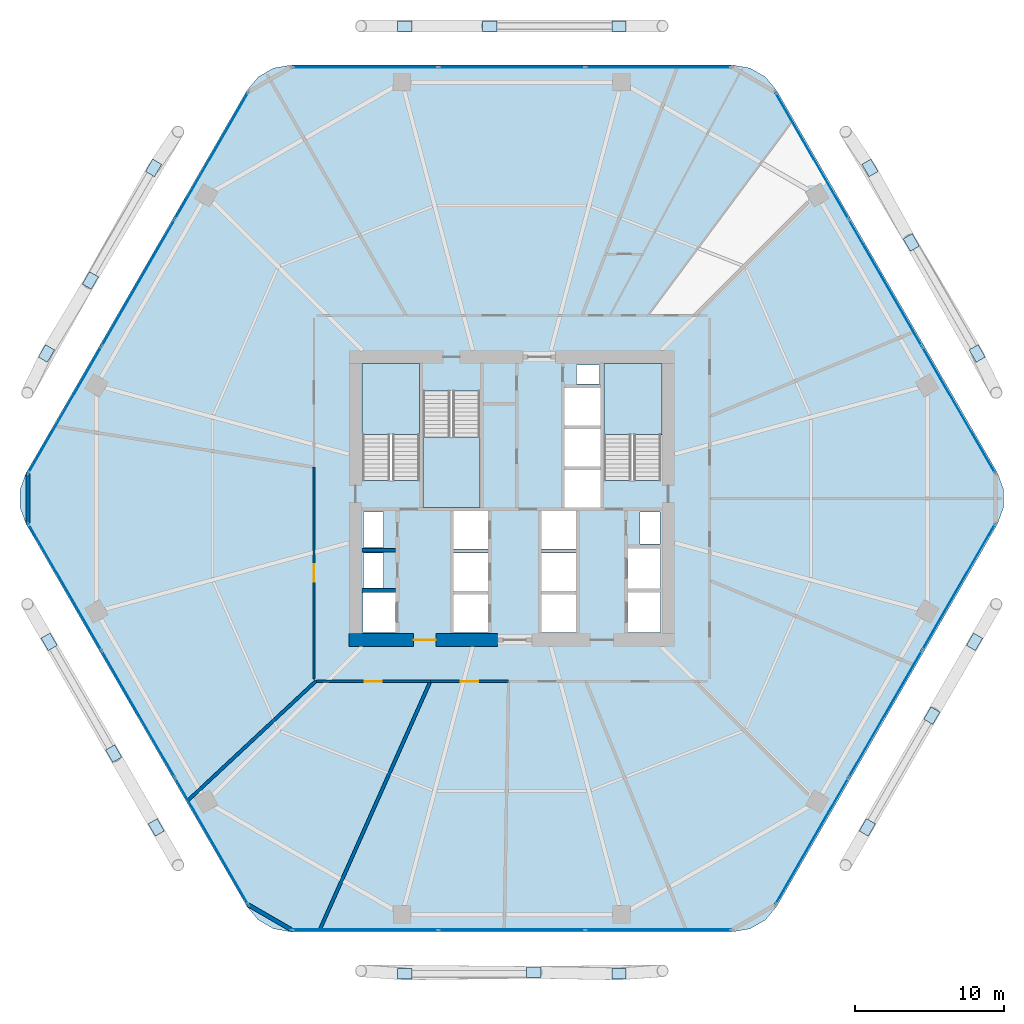
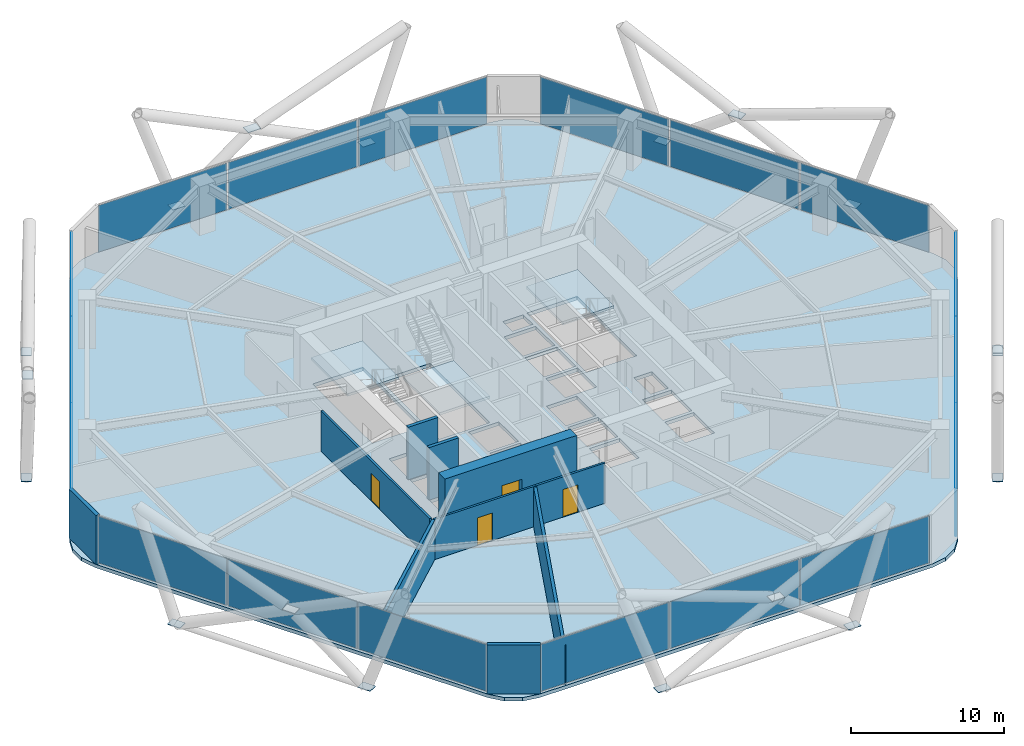
# One storey, part 24 of 28: 36 plates, 10 walls, 4 doors, 4 slabs, 4 openings, 9 elements without a shape of their own.
"""IFC4 building model written with IfcOpenShell, lengths in metres."""

from ifc_helpers import new_model, si_unit, direction, frame, frame_2d, origin, origin_2d, place, context, subcontext, project, spatial, polyline, rectangle, outline, extrude, material, layer, layer_set, type_object, element, fill, aggregate, save


model = new_model("IFC4")

# Units and contexts
model_context = context("Model", 3, precision=1e-05, world=origin(), true_north=direction((0.0, 1.0)))
body_context = subcontext(model_context, "Body", "Model", "MODEL_VIEW")
ifc_project = project(units=[si_unit("LENGTHUNIT", "METRE"), si_unit("AREAUNIT", "SQUARE_METRE"), si_unit("VOLUMEUNIT", "CUBIC_METRE"), si_unit("PLANEANGLEUNIT", "RADIAN"), si_unit("MASSUNIT", "GRAM", prefix="KILO")], contexts=[model_context])

# Site, building, storey
site_placement = place(None, origin())
site = spatial("IfcSite", under=ifc_project, at=site_placement, CompositionType="ELEMENT")
building_placement = place(site_placement, origin())
building = spatial("IfcBuilding", under=site, at=building_placement, Name="Zuhravey Tower", CompositionType="ELEMENT")
storey_placement = place(building_placement, frame((0.0, 0.0, 66.60009765625)))
storey = spatial("IfcBuildingStorey", under=building, at=storey_placement, Name="L16", CompositionType="ELEMENT", Elevation=66.60009765625)

# Curtain wall, plates
ifc_material_1 = material(Name="Thermally broken anodised aluminium", Category="aluminium")
curtain_wall_type = type_object("IfcCurtainWallType", Name="School Low-E Unitised Curtain Wall CW1", PredefinedType="NOTDEFINED", material=ifc_material_1)
curtain_wall_1_placement = place(storey_placement, origin())
curtain_wall_1 = element("IfcCurtainWall", 1, at=curtain_wall_1_placement, inside=storey, type_object=curtain_wall_type, Name="L16 CW1 CW-L16-F6-1", PredefinedType="NOTDEFINED")
ifc_material_2 = material(Name="Laminated acoustic low-E vision glass", Category="glass")
ifc_layer_1 = layer(ifc_material_2, 0.048095703125)
ifc_layer_set_1 = layer_set([ifc_layer_1], Name="Laminated acoustic low-E vision glass")
plate_type_1 = type_object("IfcPlateType", Name="Acoustic School Vision Panel", PredefinedType="CURTAIN_PANEL", material=ifc_layer_set_1)
plate_1_placement = place(storey_placement, frame((66.000732421875, 26.045654296875, 0.08984375), z_axis=(0.0, 0.0, 1.0), x_axis=(-0.499999794119, -0.86602552265, 0.0)))
plate_1 = element("IfcPlate", 2, at=plate_1_placement, type_object=plate_type_1, Name="CW1 panel 1.1", PredefinedType="CURTAIN_PANEL", context=body_context, shape_type="SweptSolid", body=[
    extrude(rectangle(XDim=9.7314453125, YDim=0.048095703125, at=origin_2d()), origin(), (0.0, 0.0, 1.0), 3.739990234375),
])
plate_2_placement = place(storey_placement, frame((61.078857421875, 17.520751953125, 0.08984375), z_axis=(0.0, 0.0, 1.0), x_axis=(-0.499999794119, -0.86602552265, 0.0)))
plate_2 = element("IfcPlate", 3, at=plate_2_placement, type_object=plate_type_1, Name="CW1 panel 2.1", PredefinedType="CURTAIN_PANEL", context=body_context, shape_type="SweptSolid", body=[
    extrude(rectangle(XDim=9.7763671875, YDim=0.048095703125, at=origin_2d()), origin(), (0.0, 0.0, 1.0), 3.739990234375),
])
plate_3_placement = place(storey_placement, frame((56.15673828125, 8.995849609375, 0.08984375), z_axis=(0.0, 0.0, 1.0), x_axis=(-0.499999794119, -0.86602552265, 0.0)))
plate_3 = element("IfcPlate", 4, at=plate_3_placement, type_object=plate_type_1, Name="CW1 panel 3.1", PredefinedType="CURTAIN_PANEL", context=body_context, shape_type="SweptSolid", body=[
    extrude(rectangle(XDim=9.7314453125, YDim=0.048095703125, at=origin_2d()), origin(), (0.0, 0.0, 1.0), 3.739990234375),
])
aggregate(curtain_wall_1, [plate_1, plate_2, plate_3])

curtain_wall_2_placement = place(storey_placement, origin())
curtain_wall_2 = element("IfcCurtainWall", 5, at=curtain_wall_2_placement, inside=storey, type_object=curtain_wall_type, Name="L16 CW1 CW-L16-F5-1", PredefinedType="NOTDEFINED")
plate_4_placement = place(storey_placement, frame((45.84375, 3.04150390625, 0.08984375), z_axis=(0.0, 0.0, 1.0), x_axis=(-1.0, 0.0, 0.0)))
plate_4 = element("IfcPlate", 6, at=plate_4_placement, type_object=plate_type_1, Name="CW1 panel 1.1", PredefinedType="CURTAIN_PANEL", context=body_context, shape_type="SweptSolid", body=[
    extrude(rectangle(XDim=9.7314453125, YDim=0.048095703125, at=origin_2d()), origin(), (0.0, 0.0, 1.0), 3.739990234375),
])
plate_5_placement = place(storey_placement, frame((36.0, 3.04150390625, 0.08984375), z_axis=(0.0, 0.0, 1.0), x_axis=(-1.0, 0.0, 0.0)))
plate_5 = element("IfcPlate", 7, at=plate_5_placement, type_object=plate_type_1, Name="CW1 panel 2.1", PredefinedType="CURTAIN_PANEL", context=body_context, shape_type="SweptSolid", body=[
    extrude(rectangle(XDim=9.7763671875, YDim=0.048095703125, at=origin_2d()), origin(), (0.0, 0.0, 1.0), 3.739990234375),
])
plate_6_placement = place(storey_placement, frame((26.15625, 3.04150390625, 0.08984375), z_axis=(0.0, 0.0, 1.0), x_axis=(-1.0, 0.0, 0.0)))
plate_6 = element("IfcPlate", 8, at=plate_6_placement, type_object=plate_type_1, Name="CW1 panel 3.1", PredefinedType="CURTAIN_PANEL", context=body_context, shape_type="SweptSolid", body=[
    extrude(rectangle(XDim=9.7314453125, YDim=0.048095703125, at=origin_2d()), origin(), (0.0, 0.0, 1.0), 3.739990234375),
])
aggregate(curtain_wall_2, [plate_4, plate_5, plate_6])

curtain_wall_3_placement = place(storey_placement, origin())
curtain_wall_3 = element("IfcCurtainWall", 9, at=curtain_wall_3_placement, inside=storey, type_object=curtain_wall_type, Name="L16 CW1 CW-L16-F4-1", PredefinedType="NOTDEFINED")
plate_7_placement = place(storey_placement, frame((15.84326171875, 8.995849609375, 0.08984375), z_axis=(0.0, 0.0, 1.0), x_axis=(-0.499999794119, 0.86602552265, 0.0)))
plate_7 = element("IfcPlate", 10, at=plate_7_placement, type_object=plate_type_1, Name="CW1 panel 1.1", PredefinedType="CURTAIN_PANEL", context=body_context, shape_type="SweptSolid", body=[
    extrude(rectangle(XDim=9.7314453125, YDim=0.048095703125, at=origin_2d()), origin(), (0.0, 0.0, 1.0), 3.739990234375),
])
plate_8_placement = place(storey_placement, frame((10.921142578125, 17.520751953125, 0.08984375), z_axis=(0.0, 0.0, 1.0), x_axis=(-0.499999794119, 0.86602552265, 0.0)))
plate_8 = element("IfcPlate", 11, at=plate_8_placement, type_object=plate_type_1, Name="CW1 panel 2.1", PredefinedType="CURTAIN_PANEL", context=body_context, shape_type="SweptSolid", body=[
    extrude(rectangle(XDim=9.7763671875, YDim=0.048095703125, at=origin_2d()), origin(), (0.0, 0.0, 1.0), 3.739990234375),
])
plate_9_placement = place(storey_placement, frame((5.999267578125, 26.045654296875, 0.08984375), z_axis=(0.0, 0.0, 1.0), x_axis=(-0.499999794119, 0.86602552265, 0.0)))
plate_9 = element("IfcPlate", 12, at=plate_9_placement, type_object=plate_type_1, Name="CW1 panel 3.1", PredefinedType="CURTAIN_PANEL", context=body_context, shape_type="SweptSolid", body=[
    extrude(rectangle(XDim=9.7314453125, YDim=0.048095703125, at=origin_2d()), origin(), (0.0, 0.0, 1.0), 3.739990234375),
])
aggregate(curtain_wall_3, [plate_7, plate_8, plate_9])

curtain_wall_4_placement = place(storey_placement, origin())
curtain_wall_4 = element("IfcCurtainWall", 13, at=curtain_wall_4_placement, inside=storey, type_object=curtain_wall_type, Name="L16 CW1 CW-L16-F3-1", PredefinedType="NOTDEFINED")
plate_10_placement = place(storey_placement, frame((5.999267578125, 37.954345703125, 0.08984375), z_axis=(0.0, 0.0, 1.0), x_axis=(0.499999794119, 0.86602552265, 0.0)))
plate_10 = element("IfcPlate", 14, at=plate_10_placement, type_object=plate_type_1, Name="CW1 panel 1.1", PredefinedType="CURTAIN_PANEL", context=body_context, shape_type="SweptSolid", body=[
    extrude(rectangle(XDim=9.7314453125, YDim=0.048095703125, at=origin_2d()), origin(), (0.0, 0.0, 1.0), 3.739990234375),
])
plate_11_placement = place(storey_placement, frame((10.921142578125, 46.479248046875, 0.08984375), z_axis=(0.0, 0.0, 1.0), x_axis=(0.499999794119, 0.86602552265, 0.0)))
plate_11 = element("IfcPlate", 15, at=plate_11_placement, type_object=plate_type_1, Name="CW1 panel 2.1", PredefinedType="CURTAIN_PANEL", context=body_context, shape_type="SweptSolid", body=[
    extrude(rectangle(XDim=9.7763671875, YDim=0.048095703125, at=origin_2d()), origin(), (0.0, 0.0, 1.0), 3.739990234375),
])
plate_12_placement = place(storey_placement, frame((15.84326171875, 55.004150390625, 0.08984375), z_axis=(0.0, 0.0, 1.0), x_axis=(0.499999794119, 0.86602552265, 0.0)))
plate_12 = element("IfcPlate", 16, at=plate_12_placement, type_object=plate_type_1, Name="CW1 panel 3.1", PredefinedType="CURTAIN_PANEL", context=body_context, shape_type="SweptSolid", body=[
    extrude(rectangle(XDim=9.7314453125, YDim=0.048095703125, at=origin_2d()), origin(), (0.0, 0.0, 1.0), 3.739990234375),
])
aggregate(curtain_wall_4, [plate_10, plate_11, plate_12])

curtain_wall_5_placement = place(storey_placement, origin())
curtain_wall_5 = element("IfcCurtainWall", 17, at=curtain_wall_5_placement, inside=storey, type_object=curtain_wall_type, Name="L16 CW1 CW-L16-F2-1", PredefinedType="NOTDEFINED")
plate_13_placement = place(storey_placement, frame((26.15625, 60.95849609375, 0.08984375), z_axis=(0.0, 0.0, 1.0), x_axis=(1.0, 0.0, 0.0)))
plate_13 = element("IfcPlate", 18, at=plate_13_placement, type_object=plate_type_1, Name="CW1 panel 1.1", PredefinedType="CURTAIN_PANEL", context=body_context, shape_type="SweptSolid", body=[
    extrude(rectangle(XDim=9.7314453125, YDim=0.048095703125, at=origin_2d()), origin(), (0.0, 0.0, 1.0), 3.739990234375),
])
plate_14_placement = place(storey_placement, frame((36.0, 60.95849609375, 0.08984375), z_axis=(0.0, 0.0, 1.0), x_axis=(1.0, 0.0, 0.0)))
plate_14 = element("IfcPlate", 19, at=plate_14_placement, type_object=plate_type_1, Name="CW1 panel 2.1", PredefinedType="CURTAIN_PANEL", context=body_context, shape_type="SweptSolid", body=[
    extrude(rectangle(XDim=9.7763671875, YDim=0.048095703125, at=origin_2d()), origin(), (0.0, 0.0, 1.0), 3.739990234375),
])
plate_15_placement = place(storey_placement, frame((45.84375, 60.95849609375, 0.08984375), z_axis=(0.0, 0.0, 1.0), x_axis=(1.0, 0.0, 0.0)))
plate_15 = element("IfcPlate", 20, at=plate_15_placement, type_object=plate_type_1, Name="CW1 panel 3.1", PredefinedType="CURTAIN_PANEL", context=body_context, shape_type="SweptSolid", body=[
    extrude(rectangle(XDim=9.7314453125, YDim=0.048095703125, at=origin_2d()), origin(), (0.0, 0.0, 1.0), 3.739990234375),
])
aggregate(curtain_wall_5, [plate_13, plate_14, plate_15])

curtain_wall_6_placement = place(storey_placement, origin())
curtain_wall_6 = element("IfcCurtainWall", 21, at=curtain_wall_6_placement, inside=storey, type_object=curtain_wall_type, Name="L16 CW1 CW-L16-F1-1", PredefinedType="NOTDEFINED")
plate_16_placement = place(storey_placement, frame((56.15673828125, 55.004150390625, 0.08984375), z_axis=(0.0, 0.0, 1.0), x_axis=(0.499999794119, -0.86602552265, 0.0)))
plate_16 = element("IfcPlate", 22, at=plate_16_placement, type_object=plate_type_1, Name="CW1 panel 1.1", PredefinedType="CURTAIN_PANEL", context=body_context, shape_type="SweptSolid", body=[
    extrude(rectangle(XDim=9.7314453125, YDim=0.048095703125, at=origin_2d()), origin(), (0.0, 0.0, 1.0), 3.739990234375),
])
plate_17_placement = place(storey_placement, frame((61.078857421875, 46.479248046875, 0.08984375), z_axis=(0.0, 0.0, 1.0), x_axis=(0.499999794119, -0.86602552265, 0.0)))
plate_17 = element("IfcPlate", 23, at=plate_17_placement, type_object=plate_type_1, Name="CW1 panel 2.1", PredefinedType="CURTAIN_PANEL", context=body_context, shape_type="SweptSolid", body=[
    extrude(rectangle(XDim=9.7763671875, YDim=0.048095703125, at=origin_2d()), origin(), (0.0, 0.0, 1.0), 3.739990234375),
])
plate_18_placement = place(storey_placement, frame((66.000732421875, 37.954345703125, 0.08984375), z_axis=(0.0, 0.0, 1.0), x_axis=(0.499999794119, -0.86602552265, 0.0)))
plate_18 = element("IfcPlate", 24, at=plate_18_placement, type_object=plate_type_1, Name="CW1 panel 3.1", PredefinedType="CURTAIN_PANEL", context=body_context, shape_type="SweptSolid", body=[
    extrude(rectangle(XDim=9.7314453125, YDim=0.048095703125, at=origin_2d()), origin(), (0.0, 0.0, 1.0), 3.739990234375),
])
aggregate(curtain_wall_6, [plate_16, plate_17, plate_18])

# Plates
ifc_material_3 = material(Name="Steel SM460", Category="steel")
ifc_layer_2 = layer(ifc_material_3, 0.0400390625)
ifc_layer_set_2 = layer_set([ifc_layer_2], Name="Steel SM460")
plate_type_2 = type_object("IfcPlateType", Name="Exoskeleton Zone 1 Node Plate ND1", PredefinedType="SHEET", material=ifc_layer_set_2)
for number, where, z_axis, x_axis, name in (
    (25, (67.247802734375, 41.734130859375, -0.51416015625), (0.0, 0.0, 1.0), (-0.5, 0.866025403784, 0.0), "L16 Exoskeleton Node Gusset L16-01"),
    (26, (60.053955078125, 54.1943359375, -0.51416015625), (0.0, 0.0, 1.0), (-0.5, 0.866025403784, 0.0), "L16 Exoskeleton Node Gusset L16-02"),
    (27, (43.19384765625, 63.718505859375, -0.51416015625), (0.0, 0.0, 1.0), (-1.0, 0.0, 0.0), "L16 Exoskeleton Node Gusset L16-03"),
    (28, (28.80615234375, 63.718505859375, -0.51416015625), (0.0, 0.0, 1.0), (-1.0, 0.0, 0.0), "L16 Exoskeleton Node Gusset L16-04"),
    (29, (11.946044921875, 54.1943359375, -0.51416015625), (0.0, 0.0, 1.0), (-0.5, -0.866025403784, 0.0), "L16 Exoskeleton Node Gusset L16-05"),
    (30, (4.752197265625, 41.734130859375, -0.51416015625), (0.0, 0.0, 1.0), (-0.5, -0.866025403784, 0.0), "L16 Exoskeleton Node Gusset L16-06"),
    (31, (4.93408203125, 22.370849609375, -0.51416015625), (0.0, 0.0, 1.0), (0.5, -0.866025403784, 0.0), "L16 Exoskeleton Node Gusset L16-07"),
    (32, (12.1279296875, 9.91064453125, -0.51416015625), (0.0, 0.0, 1.0), (0.5, -0.866025403784, 0.0), "L16 Exoskeleton Node Gusset L16-08"),
    (33, (28.80615234375, 0.071533203125, -0.51416015625), (0.0, 0.0, 1.0), (1.0, 0.0, 0.0), "L16 Exoskeleton Node Gusset L16-09"),
    (34, (43.19384765625, 0.071533203125, -0.51416015625), (0.0, 0.0, 1.0), (1.0, 0.0, 0.0), "L16 Exoskeleton Node Gusset L16-10"),
    (35, (59.8720703125, 9.91064453125, -0.51416015625), (0.0, 0.0, 1.0), (0.5, 0.866025403784, 0.0), "L16 Exoskeleton Node Gusset L16-11"),
    (36, (67.06591796875, 22.370849609375, -0.51416015625), (0.0, 0.0, 1.0), (0.5, 0.866025403784, 0.0), "L16 Exoskeleton Node Gusset L16-12"),
    (37, (62.82421875, 49.18603515625, 3.685791015625), (0.0, 0.0, 1.0), (-0.5, 0.866025403784, 0.0), "L16 Face 1 Diagrid X-Crossing Plate"),
    (38, (34.528564453125, 63.718505859375, 3.685791015625), (0.0, 0.0, 1.0), (-1.0, 0.0, 0.0), "L16 Face 2 Diagrid X-Crossing Plate"),
    (39, (7.704345703125, 46.637451171875, 3.685791015625), (0.0, 0.0, 1.0), (-0.5, -0.866025403784, 0.0), "L16 Face 3 Diagrid X-Crossing Plate"),
    (40, (9.266845703125, 14.866455078125, 3.685791015625), (0.0, 0.0, 1.0), (0.5, -0.866025403784, 0.0), "L16 Face 4 Diagrid X-Crossing Plate"),
    (41, (37.471435546875, 0.176513671875, 3.685791015625), (0.0, 0.0, 1.0), (1.0, 0.0, 0.0), "L16 Face 5 Diagrid X-Crossing Plate"),
    (42, (64.204833984375, 17.4150390625, 3.685791015625), (0.0, 0.0, 1.0), (0.5, 0.866025403784, 0.0), "L16 Face 6 Diagrid X-Crossing Plate"),
):
    element("IfcPlate", number, at=place(storey_placement, frame(where, z_axis=z_axis, x_axis=x_axis)), inside=storey, type_object=plate_type_2, Name=name, PredefinedType="SHEET", context=body_context, shape_type="SweptSolid", body=[
        extrude(rectangle(XDim=0.9599609375, YDim=0.699951171875, at=origin_2d()), origin(), (0.0, 0.0, 1.0), 0.0400390625),
    ])

# Slab
ifc_material_4 = material(Name="Concrete C50/60", Category="concrete")
ifc_layer_3 = layer(ifc_material_4, 0.280029296875)
ifc_layer_set_3 = layer_set([ifc_layer_3], Name="Concrete C50/60")
slab_type_1 = type_object("IfcSlabType", Name="School Composite Floor Slab 280", PredefinedType="FLOOR", material=ifc_layer_set_3)
slab_1_placement = place(storey_placement, frame((0.0, 0.0, -0.280029296875)))
element("IfcSlab", 43, at=slab_1_placement, inside=storey, type_object=slab_type_1, Name="L16 Floor Slab FS28", PredefinedType="FLOOR", context=body_context, shape_type="SweptSolid", body=[
    extrude(outline(polyline([(68.618408203125, 30.300048828125), (69.0224609375, 31.40966796875), (69.0224609375, 32.59033203125), (68.618408203125, 33.699951171875), (53.781494140625, 59.3984375), (53.0224609375, 60.302978515625), (52.0, 60.893310546875), (50.8369140625, 61.098388671875), (21.1630859375, 61.098388671875), (20.0, 60.893310546875), (18.9775390625, 60.302978515625), (18.218505859375, 59.3984375), (3.381591796875, 33.699951171875), (2.9775390625, 32.59033203125), (2.9775390625, 31.40966796875), (3.381591796875, 30.300048828125), (18.218505859375, 4.6015625), (18.9775390625, 3.697021484375), (20.0, 3.106689453125), (21.1630859375, 2.901611328125), (50.8369140625, 2.901611328125), (52.0, 3.106689453125), (53.0224609375, 3.697021484375), (53.781494140625, 4.6015625), (68.618408203125, 30.300048828125)]), holes=[polyline([(29.800048828125, 33.20068359375), (29.800048828125, 41.0), (26.0, 41.0), (26.0, 33.20068359375), (29.800048828125, 33.20068359375)]), polyline([(46.0, 33.20068359375), (46.0, 41.0), (42.199951171875, 41.0), (42.199951171875, 33.20068359375), (46.0, 33.20068359375)]), polyline([(30.050048828125, 39.199462890625), (30.050048828125, 31.39990234375), (33.85009765625, 31.39990234375), (33.85009765625, 39.199462890625), (30.050048828125, 39.199462890625)]), polyline([(32.10009765625, 23.0), (34.39990234375, 23.0), (34.39990234375, 25.550048828125), (32.10009765625, 25.550048828125), (32.10009765625, 23.0)]), polyline([(32.10009765625, 25.800048828125), (34.39990234375, 25.800048828125), (34.39990234375, 28.35009765625), (32.10009765625, 28.35009765625), (32.10009765625, 25.800048828125)]), polyline([(32.10009765625, 28.60009765625), (34.39990234375, 28.60009765625), (34.39990234375, 31.14990234375), (32.10009765625, 31.14990234375), (32.10009765625, 28.60009765625)]), polyline([(38.0, 23.0), (40.300048828125, 23.0), (40.300048828125, 25.550048828125), (38.0, 25.550048828125), (38.0, 23.0)]), polyline([(38.0, 25.800048828125), (40.300048828125, 25.800048828125), (40.300048828125, 28.35009765625), (38.0, 28.35009765625), (38.0, 25.800048828125)]), polyline([(38.0, 28.60009765625), (40.300048828125, 28.60009765625), (40.300048828125, 31.14990234375), (38.0, 31.14990234375), (38.0, 28.60009765625)]), polyline([(39.550048828125, 31.39990234375), (41.949951171875, 31.39990234375), (41.949951171875, 33.89990234375), (39.550048828125, 33.89990234375), (39.550048828125, 31.39990234375)]), polyline([(39.550048828125, 34.14990234375), (41.949951171875, 34.14990234375), (41.949951171875, 36.64990234375), (39.550048828125, 36.64990234375), (39.550048828125, 34.14990234375)]), polyline([(39.550048828125, 36.89990234375), (41.949951171875, 36.89990234375), (41.949951171875, 39.39990234375), (39.550048828125, 39.39990234375), (39.550048828125, 36.89990234375)]), polyline([(26.0, 23.0), (28.199951171875, 23.0), (28.199951171875, 25.699951171875), (26.0, 25.699951171875), (26.0, 23.0)]), polyline([(43.800048828125, 23.0), (46.0, 23.0), (46.0, 25.699951171875), (43.800048828125, 25.699951171875), (43.800048828125, 23.0)]), polyline([(43.800048828125, 25.949951171875), (46.0, 25.949951171875), (46.0, 28.64990234375), (43.800048828125, 28.64990234375), (43.800048828125, 25.949951171875)]), polyline([(26.050048828125, 26.0), (27.39990234375, 26.0), (27.39990234375, 28.35009765625), (26.050048828125, 28.35009765625), (26.050048828125, 26.0)]), polyline([(26.050048828125, 28.699951171875), (27.39990234375, 28.699951171875), (27.39990234375, 31.10009765625), (26.050048828125, 31.10009765625), (26.050048828125, 28.699951171875)]), polyline([(44.60009765625, 28.949951171875), (45.949951171875, 28.949951171875), (45.949951171875, 31.10009765625), (44.60009765625, 31.10009765625), (44.60009765625, 28.949951171875)]), polyline([(40.35009765625, 39.699951171875), (41.89990234375, 39.699951171875), (41.89990234375, 40.949951171875), (40.35009765625, 40.949951171875), (40.35009765625, 39.699951171875)])]), origin(), (0.0, 0.0, 1.0), 0.280029296875),
])

# Stair, slab
ifc_material_5 = material(Name="Concrete C40/50", Category="concrete")
stair_type = type_object("IfcStairType", Name="School Storey Stair Assembly 4200", PredefinedType="HALF_TURN_STAIR", material=ifc_material_5)
stair_1_placement = place(storey_placement, origin())
stair_1 = element("IfcStair", 44, at=stair_1_placement, inside=storey, type_object=stair_type, Name="L16 Core Exit Stair ST1", PredefinedType="HALF_TURN_STAIR")
ifc_layer_4 = layer(ifc_material_5, 0.199951171875)
ifc_layer_set_4 = layer_set([ifc_layer_4], Name="Concrete C40/50")
slab_type_2 = type_object("IfcSlabType", Name="Stair Landing Slab 200", PredefinedType="LANDING", material=ifc_layer_set_4)
slab_2_placement = place(storey_placement, frame((0.0, 0.0, 1.89990234375)))
slab_2 = element("IfcSlab", 45, at=slab_2_placement, type_object=slab_type_2, Name="ST1 landing 1", PredefinedType="LANDING", context=body_context, shape_type="SweptSolid", body=[
    extrude(outline(polyline([(29.800048828125, 36.280029296875), (29.800048828125, 41.072998046875), (25.927001953125, 41.072998046875), (25.927001953125, 36.280029296875), (29.800048828125, 36.280029296875)])), origin(), (0.0, 0.0, 1.0), 0.199951171875),
])
aggregate(stair_1, [slab_2])

stair_2_placement = place(storey_placement, origin())
stair_2 = element("IfcStair", 46, at=stair_2_placement, inside=storey, type_object=stair_type, Name="L16 Core Exit Stair ST2", PredefinedType="HALF_TURN_STAIR")
slab_3_placement = place(storey_placement, frame((0.0, 0.0, 1.89990234375)))
slab_3 = element("IfcSlab", 47, at=slab_3_placement, type_object=slab_type_2, Name="ST2 landing 1", PredefinedType="LANDING", context=body_context, shape_type="SweptSolid", body=[
    extrude(outline(polyline([(46.072998046875, 36.280029296875), (46.072998046875, 41.072998046875), (42.199951171875, 41.072998046875), (42.199951171875, 36.280029296875), (46.072998046875, 36.280029296875)])), origin(), (0.0, 0.0, 1.0), 0.199951171875),
])
aggregate(stair_2, [slab_3])

stair_3_placement = place(storey_placement, origin())
stair_3 = element("IfcStair", 48, at=stair_3_placement, inside=storey, type_object=stair_type, Name="L16 Core Exit Stair ST3", PredefinedType="HALF_TURN_STAIR")
slab_4_placement = place(storey_placement, frame((0.0, 0.0, 1.89990234375)))
slab_4 = element("IfcSlab", 49, at=slab_4_placement, type_object=slab_type_2, Name="ST3 landing 1", PredefinedType="LANDING", context=body_context, shape_type="SweptSolid", body=[
    extrude(outline(polyline([(30.050048828125, 36.1201171875), (30.050048828125, 31.39990234375), (33.85009765625, 31.39990234375), (33.85009765625, 36.1201171875), (30.050048828125, 36.1201171875)])), origin(), (0.0, 0.0, 1.0), 0.199951171875),
])
aggregate(stair_3, [slab_4])

# Wall, opening, door
ifc_material_6 = material(Name="Concrete C60/75", Category="concrete")
ifc_layer_5 = layer(ifc_material_6, 0.85009765625)
ifc_layer_set_5 = layer_set([ifc_layer_5], Name="Concrete C60/75")
wall_type_1 = type_object("IfcWallType", Name="Core Shear Wall 850", PredefinedType="SHEAR", material=ifc_layer_set_5)
wall_1_placement = place(storey_placement, frame((25.074951171875, 22.5, 0.0), z_axis=(0.0, 0.0, 1.0), x_axis=(1.0, 0.0, 0.0)))
wall_1 = element("IfcWall", 50, at=wall_1_placement, inside=storey, type_object=wall_type_1, Name="L16 South-West Core Shear Wall CW85", PredefinedType="SHEAR", context=body_context, shape_type="SweptSolid", body=[
    extrude(rectangle(XDim=9.97509765625, YDim=0.85009765625, at=frame_2d((4.987548828125, 0.0))), origin(), (0.0, 0.0, 1.0), 4.199951171875),
])
opening_1_placement = place(wall_1_placement, frame((4.324951171875, 0.0, 0.0)))
opening_1 = element("IfcOpeningElement", 51, at=opening_1_placement, cuts=wall_1, Name="Opening FFD1", PredefinedType="OPENING", context=body_context, shape_type="SweptSolid", body=[
    extrude(rectangle(XDim=1.5, YDim=2.14990234375, at=frame_2d((0.75, 1.074951171875))), frame((0.0, 0.43701171875, 0.0), z_axis=(0.0, -1.0, 0.0), x_axis=(1.0, 0.0, 0.0)), (0.0, 0.0, 1.0), 0.8740234375),
])
ifc_material_7 = material(Name="Galvanised fire-rated steel leaf", Category="steel")
door_type_1 = type_object("IfcDoorType", Name="Firefighting Lobby Double Door 1500x2150", OperationType="DOUBLE_DOOR_SINGLE_SWING", PredefinedType="DOOR", material=ifc_material_7)
door_1_placement = place(opening_1_placement, origin())
door_1 = element("IfcDoor", 52, at=door_1_placement, inside=storey, type_object=door_type_1, Name="L16 Firefighting Lobby West Door", OperationType="DOUBLE_DOOR_SINGLE_SWING", OverallHeight=2.14990234375, OverallWidth=1.5, PredefinedType="DOOR", context=body_context, shape_type="SweptSolid", body=[
    extrude(rectangle(XDim=1.5, YDim=2.14990234375, at=frame_2d((0.75, 1.074951171875))), frame((0.0, 0.02490234375, 0.0), z_axis=(0.0, -1.0, 0.0), x_axis=(1.0, 0.0, 0.0)), (0.0, 0.0, 1.0), 0.050048828125),
])
fill(opening_1, door_1)

ifc_material_8 = material(Name="Gypsum fire-rated stud partition")
ifc_layer_6 = layer(ifc_material_8, 0.159912109375)
ifc_layer_set_6 = layer_set([ifc_layer_6], Name="Gypsum fire-rated stud partition")
wall_type_2 = type_object("IfcWallType", Name="Corridor Fire Partition 160", PredefinedType="PARTITIONING", material=ifc_layer_set_6)
wall_2_placement = place(storey_placement, frame((22.715087890625, 34.10400390625, 0.0), z_axis=(0.0, 0.0, 1.0), x_axis=(0.0, -1.0, 0.0)))
wall_2 = element("IfcWall", 53, at=wall_2_placement, inside=storey, type_object=wall_type_2, Name="L16 IW16 Partition 025", PredefinedType="PARTITIONING", context=body_context, shape_type="SweptSolid", body=[
    extrude(rectangle(XDim=14.22900390625, YDim=0.159912109375, at=frame_2d((7.114501953125, 0.0))), origin(), (0.0, 0.0, 1.0), 3.219970703125),
])
opening_2_placement = place(wall_2_placement, frame((6.53955078125, 0.0, 0.0)))
opening_2 = element("IfcOpeningElement", 54, at=opening_2_placement, cuts=wall_2, Name="Opening CLD1", PredefinedType="OPENING", context=body_context, shape_type="SweptSolid", body=[
    extrude(rectangle(XDim=1.14990234375, YDim=2.199951171875, at=frame_2d((0.574951171875, 1.10009765625))), frame((0.0, 0.092041015625, 0.0), z_axis=(0.0, -1.0, 0.0), x_axis=(1.0, 0.0, 0.0)), (0.0, 0.0, 1.0), 0.183837890625),
])
ifc_material_9 = material(Name="Acoustic timber leaf with vision lite", Category="wood")
door_type_2 = type_object("IfcDoorType", Name="Classroom Acoustic Door 1150x2200", OperationType="NOTDEFINED", PredefinedType="DOOR", material=ifc_material_9)
door_2_placement = place(opening_2_placement, frame((1.14990234375, 0.0, 0.0), z_axis=(0.0, 0.0, 1.0), x_axis=(-1.0, 0.0, 0.0)))
door_2 = element("IfcDoor", 55, at=door_2_placement, inside=storey, type_object=door_type_2, Name="L16 Door 025.1", OperationType="SINGLE_SWING_RIGHT", OverallHeight=2.199951171875, OverallWidth=1.14990234375, PredefinedType="DOOR", context=body_context, shape_type="SweptSolid", body=[
    extrude(rectangle(XDim=1.14990234375, YDim=2.199951171875, at=frame_2d((0.574951171875, 1.10009765625))), frame((0.0, 0.02490234375, 0.0), z_axis=(0.0, -1.0, 0.0), x_axis=(1.0, 0.0, 0.0)), (0.0, 0.0, 1.0), 0.050048828125),
])
fill(opening_2, door_2)

wall_3_placement = place(storey_placement, frame((22.875, 19.715087890625, 0.0), z_axis=(0.0, 0.0, 1.0), x_axis=(1.0, 0.0, 0.0)))
wall_3 = element("IfcWall", 56, at=wall_3_placement, inside=storey, type_object=wall_type_2, Name="L16 IW16 Partition 026", PredefinedType="PARTITIONING", context=body_context, shape_type="SweptSolid", body=[
    extrude(rectangle(XDim=7.655517578125, YDim=0.159912109375, at=frame_2d((3.82763671875, 0.0))), origin(), (0.0, 0.0, 1.0), 3.219970703125),
])
opening_3_placement = place(wall_3_placement, frame((3.252685546875, 0.0, 0.0)))
opening_3 = element("IfcOpeningElement", 57, at=opening_3_placement, cuts=wall_3, Name="Opening CLD1", PredefinedType="OPENING", context=body_context, shape_type="SweptSolid", body=[
    extrude(rectangle(XDim=1.14990234375, YDim=2.199951171875, at=frame_2d((0.574951171875, 1.10009765625))), frame((0.0, 0.092041015625, 0.0), z_axis=(0.0, -1.0, 0.0), x_axis=(1.0, 0.0, 0.0)), (0.0, 0.0, 1.0), 0.183837890625),
])
door_3_placement = place(opening_3_placement, frame((1.14990234375, 0.0, 0.0), z_axis=(0.0, 0.0, 1.0), x_axis=(-1.0, 0.0, 0.0)))
door_3 = element("IfcDoor", 58, at=door_3_placement, inside=storey, type_object=door_type_2, Name="L16 Door 026.1", OperationType="SINGLE_SWING_LEFT", OverallHeight=2.199951171875, OverallWidth=1.14990234375, PredefinedType="DOOR", context=body_context, shape_type="SweptSolid", body=[
    extrude(rectangle(XDim=1.14990234375, YDim=2.199951171875, at=frame_2d((0.574951171875, 1.10009765625))), frame((0.0, 0.02490234375, 0.0), z_axis=(0.0, -1.0, 0.0), x_axis=(1.0, 0.0, 0.0)), (0.0, 0.0, 1.0), 0.050048828125),
])
fill(opening_3, door_3)

wall_4_placement = place(storey_placement, frame((30.530517578125, 19.715087890625, 0.0), z_axis=(0.0, 0.0, 1.0), x_axis=(1.0, 0.0, 0.0)))
wall_4 = element("IfcWall", 59, at=wall_4_placement, inside=storey, type_object=wall_type_2, Name="L16 IW16 Partition 027", PredefinedType="PARTITIONING", context=body_context, shape_type="SweptSolid", body=[
    extrude(rectangle(XDim=5.255126953125, YDim=0.159912109375, at=frame_2d((2.62744140625, 0.0))), origin(), (0.0, 0.0, 1.0), 3.219970703125),
])
opening_4_placement = place(wall_4_placement, frame((2.052490234375, 0.0, 0.0)))
opening_4 = element("IfcOpeningElement", 60, at=opening_4_placement, cuts=wall_4, Name="Opening CLD1", PredefinedType="OPENING", context=body_context, shape_type="SweptSolid", body=[
    extrude(rectangle(XDim=1.14990234375, YDim=2.199951171875, at=frame_2d((0.574951171875, 1.10009765625))), frame((0.0, 0.092041015625, 0.0), z_axis=(0.0, -1.0, 0.0), x_axis=(1.0, 0.0, 0.0)), (0.0, 0.0, 1.0), 0.183837890625),
])
door_4_placement = place(opening_4_placement, frame((1.14990234375, 0.0, 0.0), z_axis=(0.0, 0.0, 1.0), x_axis=(-1.0, 0.0, 0.0)))
door_4 = element("IfcDoor", 61, at=door_4_placement, inside=storey, type_object=door_type_2, Name="L16 Door 027.1", OperationType="SINGLE_SWING_RIGHT", OverallHeight=2.199951171875, OverallWidth=1.14990234375, PredefinedType="DOOR", context=body_context, shape_type="SweptSolid", body=[
    extrude(rectangle(XDim=1.14990234375, YDim=2.199951171875, at=frame_2d((0.574951171875, 1.10009765625))), frame((0.0, 0.02490234375, 0.0), z_axis=(0.0, -1.0, 0.0), x_axis=(1.0, 0.0, 0.0)), (0.0, 0.0, 1.0), 0.050048828125),
])
fill(opening_4, door_4)

# Walls
ifc_material_10 = material(Name="Precast concrete C40/50", Category="concrete")
ifc_layer_7 = layer(ifc_material_10, 0.280029296875)
ifc_layer_set_7 = layer_set([ifc_layer_7], Name="Precast concrete C40/50")
wall_type_3 = type_object("IfcWallType", Name="Crown Architectural Wall 280", PredefinedType="SOLIDWALL", material=ifc_layer_set_7)
wall_5_placement = place(storey_placement, frame((21.28271484375, 2.993896484375, 0.0), z_axis=(0.0, 0.0, 1.0), x_axis=(-0.866007452331, 0.500031091541, 0.0)))
element("IfcWall", 62, at=wall_5_placement, inside=storey, type_object=wall_type_3, Name="L16 Rounded Corner Closure Wall EW28-04", PredefinedType="SOLIDWALL", context=body_context, shape_type="SweptSolid", body=[
    extrude(rectangle(XDim=3.514892578125, YDim=0.280029296875, at=frame_2d((1.75732421875, 0.0))), origin(), (0.0, 0.0, 1.0), 3.919921875),
])
wall_6_placement = place(storey_placement, frame((3.521484375, 30.242431640625, 0.0), z_axis=(0.0, 0.0, 1.0), x_axis=(0.0, 1.0, 0.0)))
element("IfcWall", 63, at=wall_6_placement, inside=storey, type_object=wall_type_3, Name="L16 Rounded Corner Closure Wall EW28-06", PredefinedType="SOLIDWALL", context=body_context, shape_type="SweptSolid", body=[
    extrude(rectangle(XDim=3.51513671875, YDim=0.280029296875, at=frame_2d((1.757568359375, 0.0))), origin(), (0.0, 0.0, 1.0), 3.919921875),
])
ifc_layer_8 = layer(ifc_material_4, 0.25)
ifc_layer_set_8 = layer_set([ifc_layer_8], Name="Concrete C50/60")
wall_type_4 = type_object("IfcWallType", Name="Firefighting Shaft & Stair Wall 250", PredefinedType="SOLIDWALL", material=ifc_layer_set_8)
for number, where, z_axis, x_axis, name in (
    (64, (25.949951171875, 25.824951171875, 0.0), (0.0, 0.0, 1.0), (1.0, 0.0, 0.0), "L16 FW25 Shaft Wall 009"),
    (65, (25.949951171875, 28.52490234375, 0.0), (0.0, 0.0, 1.0), (1.0, 0.0, 0.0), "L16 FW25 Shaft Wall 010"),
):
    element("IfcWall", number, at=place(storey_placement, frame(where, z_axis=z_axis, x_axis=x_axis)), inside=storey, type_object=wall_type_4, Name=name, PredefinedType="SOLIDWALL", context=body_context, shape_type="SweptSolid", body=[
        extrude(rectangle(XDim=2.25, YDim=0.25, at=frame_2d((1.125, 0.0))), origin(), (0.0, 0.0, 1.0), 4.199951171875),
    ])
ifc_material_11 = material(Name="Gypsum acoustic stud assembly")
ifc_layer_9 = layer(ifc_material_11, 0.219970703125)
ifc_layer_set_9 = layer_set([ifc_layer_9], Name="Gypsum acoustic stud assembly")
wall_type_5 = type_object("IfcWallType", Name="School Acoustic Compartment Wall 220", PredefinedType="PARTITIONING", material=ifc_layer_set_9)
wall_7_placement = place(storey_placement, frame((22.849853515625, 19.7373046875, 0.0), z_axis=(0.0, 0.0, 1.0), x_axis=(-0.731360864489, -0.681990678744, 0.0)))
element("IfcWall", 66, at=wall_7_placement, inside=storey, type_object=wall_type_5, Name="L16 IW22 Partition 051", PredefinedType="PARTITIONING", context=body_context, shape_type="SweptSolid", body=[
    extrude(rectangle(XDim=11.73974609375, YDim=0.219970703125, at=frame_2d((5.869873046875, 0.0))), origin(), (0.0, 0.0, 1.0), 3.169921875),
])
wall_8_placement = place(storey_placement, frame((30.4912109375, 19.626953125, 0.0), z_axis=(0.0, 0.0, 1.0), x_axis=(-0.406746008396, -0.913541287876, 0.0)))
element("IfcWall", 67, at=wall_8_placement, inside=storey, type_object=wall_type_5, Name="L16 IW22 Partition 052", PredefinedType="PARTITIONING", context=body_context, shape_type="SweptSolid", body=[
    extrude(rectangle(XDim=18.155029296875, YDim=0.219970703125, at=frame_2d((9.07763671875, 0.0))), origin(), (0.0, 0.0, 1.0), 3.169921875),
])

save(model, "model.ifc")
